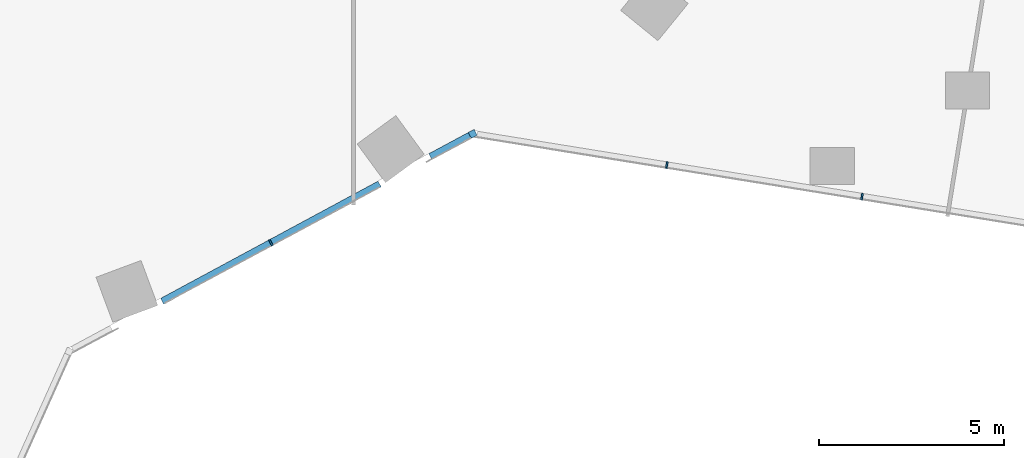
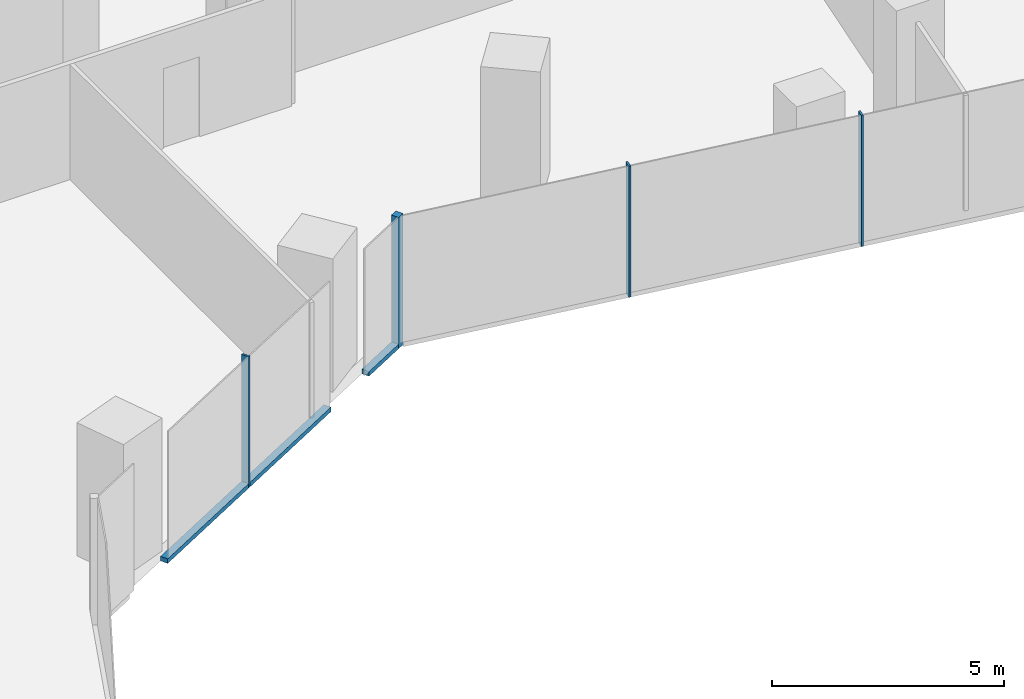
# One storey, part 8 of 34: 6 members, 2 elements without a shape of their own.
"""IFC4 building model written with IfcOpenShell, lengths in metres."""

import ifcopenshell
import ifcopenshell.guid

model = None  # the IFC model being written
_history = None  # IfcOwnerHistory: only IFC2X3 demands one
_inside = {}  # id of a spatial element -> (the spatial element, [elements in it])
_under = {}  # id of a project, library or spatial element -> (it, [spatial elements below it])
_declared = {}  # id of a project -> (the project, [libraries it declares])
_typed = {}  # id of a type object -> (the type object, [elements of that type])
_made_of = {}  # id of a material, layer set ... -> (it, [elements and type objects made of it])


def new_model(schema):
    """Start an empty IFC model of exactly this schema.

    Asked for "IFC4X3", IfcOpenShell would pick the latest addendum, in which some entities
    have other attributes; the version numbers below select the first issue.
    IFC2X3 requires an IfcOwnerHistory on every rooted entity: one is made here for all.
    """
    global model, _history
    if schema == "IFC4X3":
        model = ifcopenshell.file(schema_version=(4, 3, 0, 0))
    else:
        model = ifcopenshell.file(schema=schema)
    _inside.clear()
    _under.clear()
    _declared.clear()
    _typed.clear()
    _made_of.clear()
    _history = None
    if model.schema == "IFC2X3":
        org = make("IfcOrganization", Name="unknown")
        user = make(
            "IfcPersonAndOrganization",
            ThePerson=make("IfcPerson", FamilyName="unknown"),
            TheOrganization=org,
        )
        app = make(
            "IfcApplication",
            ApplicationDeveloper=org,
            Version="unknown",
            ApplicationFullName="unknown",
            ApplicationIdentifier="unknown",
        )
        _history = make(
            "IfcOwnerHistory",
            OwningUser=user,
            OwningApplication=app,
            ChangeAction="ADDED",
            CreationDate=0,
        )
    return model


def make(cls, **values):
    """One entity of the class cls with the attributes given. An attribute that is None is left unset."""
    return model.create_entity(
        cls, **{name: value for name, value in values.items() if value is not None}
    )


def rooted(cls, **values):
    """An entity with a GlobalId (a new one), such as an element, a storey or a relation."""
    return make(cls, GlobalId=ifcopenshell.guid.new(), OwnerHistory=_history, **values)


def si_unit(unit_type, name, prefix=None):
    """IfcSIUnit, for example si_unit("LENGTHUNIT", "METRE", prefix="MILLI")."""
    return make("IfcSIUnit", UnitType=unit_type, Prefix=prefix, Name=name)


def assignment(units):
    """IfcUnitAssignment: the units of a project."""
    return None if units is None else make("IfcUnitAssignment", Units=units)


def point(xyz):
    """IfcCartesianPoint."""
    return None if xyz is None else make("IfcCartesianPoint", Coordinates=xyz)


def direction(xyz):
    """IfcDirection."""
    return None if xyz is None else make("IfcDirection", DirectionRatios=xyz)


def frame(location, z_axis=None, x_axis=None):
    """IfcAxis2Placement3D, a coordinate frame: its origin and axes. An axis left out is left unset."""
    return make(
        "IfcAxis2Placement3D",
        Location=point(location),
        Axis=direction(z_axis),
        RefDirection=direction(x_axis),
    )


def frame_2d(location, x_axis=None):
    """IfcAxis2Placement2D, a coordinate frame in the plane: its origin and x axis."""
    return make(
        "IfcAxis2Placement2D", Location=point(location), RefDirection=direction(x_axis)
    )


def origin():
    """The frame at (0, 0, 0) with its axes left unset."""
    return frame((0.0, 0.0, 0.0))


def origin_2d():
    """The frame at (0, 0) in the plane with its x axis left unset."""
    return frame_2d((0.0, 0.0))


def place(relative_to, where):
    """IfcLocalPlacement: puts the frame where relative to a parent placement (None: the world)."""
    return make(
        "IfcLocalPlacement", PlacementRelTo=relative_to, RelativePlacement=where
    )


def context(
    kind, dimensions, precision=None, world=None, true_north=None, identifier=None
):
    """IfcGeometricRepresentationContext, for example the 3D "Model" context."""
    return make(
        "IfcGeometricRepresentationContext",
        ContextIdentifier=identifier,
        ContextType=kind,
        CoordinateSpaceDimension=dimensions,
        Precision=precision,
        WorldCoordinateSystem=world,
        TrueNorth=true_north,
    )


def subcontext(parent, identifier, kind, view, scale=None):
    """IfcGeometricRepresentationSubContext, for example "Body" below "Model"."""
    return make(
        "IfcGeometricRepresentationSubContext",
        ContextIdentifier=identifier,
        ContextType=kind,
        ParentContext=parent,
        TargetScale=scale,
        TargetView=view,
    )


def project(units=None, contexts=None):
    """IfcProject with its units and contexts."""
    return rooted(
        "IfcProject",
        Name="project",
        RepresentationContexts=contexts,
        UnitsInContext=assignment(units),
    )


def spatial(cls, under=None, at=None, **own):
    """A site, building, storey or space (cls), placed at a placement, below another one or the project."""
    s = rooted(cls, ObjectPlacement=at, **own)
    if under is not None:
        _under.setdefault(under.id(), (under, []))[1].append(s)
    return s


def profile(cls, at=None, kind="AREA", **sizes):
    """A parametric profile (cls). Its sizes go by their IFC names, for example OverallWidth=200.0."""
    return make(cls, ProfileType=kind, Position=at, **sizes)


def rectangle(**sizes):
    """IfcRectangleProfileDef."""
    return profile("IfcRectangleProfileDef", **sizes)


def extrude(swept, where, along, depth):
    """IfcExtrudedAreaSolid: the profile swept, set in the frame where, extruded along a direction by depth."""
    return make(
        "IfcExtrudedAreaSolid",
        SweptArea=swept,
        Position=where,
        ExtrudedDirection=direction(along),
        Depth=depth,
    )


def shape(context_of_items, identifier, shape_type, items):
    """IfcShapeRepresentation: the items that make up one representation, for example the "Body"."""
    return make(
        "IfcShapeRepresentation",
        ContextOfItems=context_of_items,
        RepresentationIdentifier=identifier,
        RepresentationType=shape_type,
        Items=items,
    )


def material(Name=None, Category=None):
    """IfcMaterial."""
    return make("IfcMaterial", Name=Name, Category=Category)


def material_profile(
    of_material, cross_section, Name=None, Category=None, Priority=None
):
    """IfcMaterialProfile: a cross section and its material."""
    return make(
        "IfcMaterialProfile",
        Name=Name,
        Material=of_material,
        Profile=cross_section,
        Priority=Priority,
        Category=Category,
    )


def profile_set(profiles, Name=None, composite=None):
    """IfcMaterialProfileSet."""
    return make(
        "IfcMaterialProfileSet",
        Name=Name,
        MaterialProfiles=profiles,
        CompositeProfile=composite,
    )


def made_of(thing, what):
    """Note that an element or type object is made of a material, layer set ...; save() writes the relation."""
    if what is not None:
        _made_of.setdefault(what.id(), (what, []))[1].append(thing)
    return thing


def type_object(cls, material=None, **own):
    """A type object (cls), such as IfcWallType, which elements share."""
    return made_of(rooted(cls, **own), material)


def element(
    cls,
    number,
    at=None,
    inside=None,
    cuts=None,
    type_object=None,
    material=None,
    context=None,
    identifier="Body",
    shape_type=None,
    held_by="IfcProductDefinitionShape",
    body=None,
    shapes=None,
    **own,
):
    """One element of the class cls, such as IfcWall. Its Tag is "e" and its number.

    at: its placement. inside: the storey or other place that contains it. cuts: it is an
    opening in that element (IfcRelVoidsElement). A single representation is given by context,
    identifier, shape_type and body (its items); several are given by shapes. held_by: the class
    of the entity that holds the representations. save() writes the other relations.
    """
    e = rooted(cls, Tag="e%d" % number, ObjectPlacement=at, **own)
    if body is not None:
        shapes = [shape(context, identifier, shape_type, body)]
    if shapes is not None:
        e.Representation = make(held_by, Representations=shapes)
    if inside is not None:
        _inside.setdefault(inside.id(), (inside, []))[1].append(e)
    if cuts is not None:
        rooted(
            "IfcRelVoidsElement", RelatingBuildingElement=cuts, RelatedOpeningElement=e
        )
    if type_object is not None:
        _typed.setdefault(type_object.id(), (type_object, []))[1].append(e)
    return made_of(e, material)


def aggregate(whole, parts):
    """IfcRelAggregates: a whole, such as a stair, and the parts it consists of."""
    return rooted("IfcRelAggregates", RelatingObject=whole, RelatedObjects=parts)


def save(model, path):
    """Write the relations noted so far, then the file.

    IfcRelAggregates (storeys below a building ...), IfcRelContainedInSpatialStructure (elements
    in a storey), IfcRelDefinesByType, IfcRelAssociatesMaterial and IfcRelDeclares: one each for
    every whole, place, type object, material and project.
    """
    for whole, parts in _under.values():
        aggregate(whole, parts)
    for where, things in _inside.values():
        rooted(
            "IfcRelContainedInSpatialStructure",
            RelatedElements=things,
            RelatingStructure=where,
        )
    for kind, things in _typed.values():
        rooted("IfcRelDefinesByType", RelatedObjects=things, RelatingType=kind)
    for what, things in _made_of.values():
        rooted("IfcRelAssociatesMaterial", RelatedObjects=things, RelatingMaterial=what)
    for by, libraries in _declared.values():
        rooted("IfcRelDeclares", RelatingContext=by, RelatedDefinitions=libraries)
    model.write(path)


model = new_model("IFC4")

# Units and contexts
model_context = context("Model", 3, precision=1e-05, world=origin(), true_north=direction((0.0, 1.0)))
body_context = subcontext(model_context, "Body", "Model", "MODEL_VIEW")
ifc_project = project(units=[si_unit("LENGTHUNIT", "METRE"), si_unit("AREAUNIT", "SQUARE_METRE"), si_unit("VOLUMEUNIT", "CUBIC_METRE"), si_unit("PLANEANGLEUNIT", "RADIAN"), si_unit("MASSUNIT", "GRAM", prefix="KILO")], contexts=[model_context])

# Site, building, storey
site_placement = place(None, origin())
site = spatial("IfcSite", under=ifc_project, at=site_placement, CompositionType="ELEMENT")
building_placement = place(site_placement, origin())
building = spatial("IfcBuilding", under=site, at=building_placement, Name="Orlundy Tower", CompositionType="ELEMENT")
storey_placement = place(building_placement, frame((0.0, 0.0, 134.199951171875)))
storey = spatial("IfcBuildingStorey", under=building, at=storey_placement, Name="L34", CompositionType="ELEMENT", Elevation=134.199951171875)

# Curtain wall, member
ifc_material_1 = material(Name="Aluminium bronze anodised", Category="aluminium")
curtain_wall_type = type_object("IfcCurtainWallType", Name="CW1 wall", PredefinedType="NOTDEFINED", material=ifc_material_1)
curtain_wall_1_placement = place(storey_placement, origin())
curtain_wall_1 = element("IfcCurtainWall", 1, at=curtain_wall_1_placement, inside=storey, type_object=curtain_wall_type, Name="CW1 run 017", PredefinedType="NOTDEFINED")
ifc_material_2 = material(Name="Aluminium bronze anodised", Category="aluminium")
ifc_material_profile_1 = material_profile(ifc_material_2, rectangle(XDim=0.179931640625, YDim=0.179931640625, at=origin_2d()), Name="CW1 corner post 180x180")
ifc_profile_set_1 = profile_set([ifc_material_profile_1], Name="Aluminium bronze anodised")
member_type_1 = type_object("IfcMemberType", Name="CW1 corner post 180x180", PredefinedType="MULLION", material=ifc_profile_set_1)
member_1_placement = place(storey_placement, frame((19.748779296875, -23.53662109375, -0.39990234375), z_axis=(0.0, 0.0, 1.0), x_axis=(0.474615553081, -0.88019320423, 0.0)))
member_1 = element("IfcMember", 2, at=member_1_placement, type_object=member_type_1, Name="CW1 mullion 49", PredefinedType="MULLION", context=body_context, shape_type="SweptSolid", body=[
    extrude(rectangle(XDim=0.179931640625, YDim=0.179931640625, at=origin_2d()), origin(), (0.0, 0.0, 1.0), 3.449951171875),
])

# Curtain wall, members
curtain_wall_2_placement = place(storey_placement, origin())
curtain_wall_2 = element("IfcCurtainWall", 3, at=curtain_wall_2_placement, inside=storey, type_object=curtain_wall_type, Name="CW1 run 016", PredefinedType="NOTDEFINED")
ifc_material_3 = material(Name="Aluminium bronze anodised", Category="aluminium")
ifc_material_profile_2 = material_profile(ifc_material_3, rectangle(XDim=0.179931640625, YDim=0.050048828125, at=origin_2d()), Name="CW1 mullion 50x180")
ifc_profile_set_2 = profile_set([ifc_material_profile_2], Name="Aluminium bronze anodised")
member_type_2 = type_object("IfcMemberType", Name="CW1 mullion 50x180", PredefinedType="MULLION", material=ifc_profile_set_2)
member_2_placement = place(storey_placement, frame((30.29541015625, -25.23876953125, -0.39990234375), z_axis=(0.0, 0.0, 1.0), x_axis=(-0.159311085453, -0.987228432558, 0.0)))
member_2 = element("IfcMember", 4, at=member_2_placement, type_object=member_type_2, Name="CW1 mullion 47", PredefinedType="MULLION", context=body_context, shape_type="SweptSolid", body=[
    extrude(rectangle(XDim=0.179931640625, YDim=0.050048828125, at=origin_2d()), origin(), (0.0, 0.0, 1.0), 3.449951171875),
])
member_3_placement = place(storey_placement, frame((25.007080078125, -24.38525390625, -0.39990234375), z_axis=(0.0, 0.0, 1.0), x_axis=(-0.159311085453, -0.987228432558, 0.0)))
member_3 = element("IfcMember", 5, at=member_3_placement, type_object=member_type_2, Name="CW1 mullion 48", PredefinedType="MULLION", context=body_context, shape_type="SweptSolid", body=[
    extrude(rectangle(XDim=0.179931640625, YDim=0.050048828125, at=origin_2d()), origin(), (0.0, 0.0, 1.0), 3.449951171875),
])
aggregate(curtain_wall_2, [member_2, member_3])

# Member
member_4_placement = place(storey_placement, frame((14.28076171875, -26.485107421875, -0.39990234375), z_axis=(0.0, 0.0, 1.0), x_axis=(0.474615553081, -0.88019320423, 0.0)))
member_4 = element("IfcMember", 6, at=member_4_placement, type_object=member_type_2, Name="CW1 mullion 50", PredefinedType="MULLION", context=body_context, shape_type="SweptSolid", body=[
    extrude(rectangle(XDim=0.179931640625, YDim=0.050048828125, at=origin_2d()), origin(), (0.0, 0.0, 1.0), 3.449951171875),
])

ifc_material_4 = material(Name="Aluminium bronze anodised", Category="aluminium")
ifc_material_profile_3 = material_profile(ifc_material_4, rectangle(XDim=0.179931640625, YDim=0.1201171875, at=origin_2d()), Name="CW1 transom 180x120")
ifc_profile_set_3 = profile_set([ifc_material_profile_3], Name="Aluminium bronze anodised")
member_type_3 = type_object("IfcMemberType", Name="CW1 transom 180x120", PredefinedType="USERDEFINED", material=ifc_profile_set_3)
member_5_placement = place(storey_placement, frame((19.669677734375, -23.579345703125, -0.33984375), z_axis=(-0.880206214276, -0.474591424649, 0.0), x_axis=(0.474591424649, -0.880206214276, 0.0)))
member_5 = element("IfcMember", 7, at=member_5_placement, type_object=member_type_3, Name="CW1 transom", ObjectType="TRANSOM", PredefinedType="USERDEFINED", context=body_context, shape_type="SweptSolid", body=[
    extrude(rectangle(XDim=0.179931640625, YDim=0.1201171875, at=origin_2d()), origin(), (0.0, 0.0, 1.0), 1.214111328125),
])

member_6_placement = place(storey_placement, frame((17.226806640625, -24.896728515625, -0.33984375), z_axis=(-0.880200432589, -0.474602147563, 0.0), x_axis=(0.474602147563, -0.880200432589, 0.0)))
member_6 = element("IfcMember", 8, at=member_6_placement, type_object=member_type_3, Name="CW1 transom", ObjectType="TRANSOM", PredefinedType="USERDEFINED", context=body_context, shape_type="SweptSolid", body=[
    extrude(rectangle(XDim=0.179931640625, YDim=0.1201171875, at=origin_2d()), origin(), (0.0, 0.0, 1.0), 6.694091796875),
])

aggregate(curtain_wall_1, [member_1, member_4, member_5, member_6])

save(model, "model.ifc")
